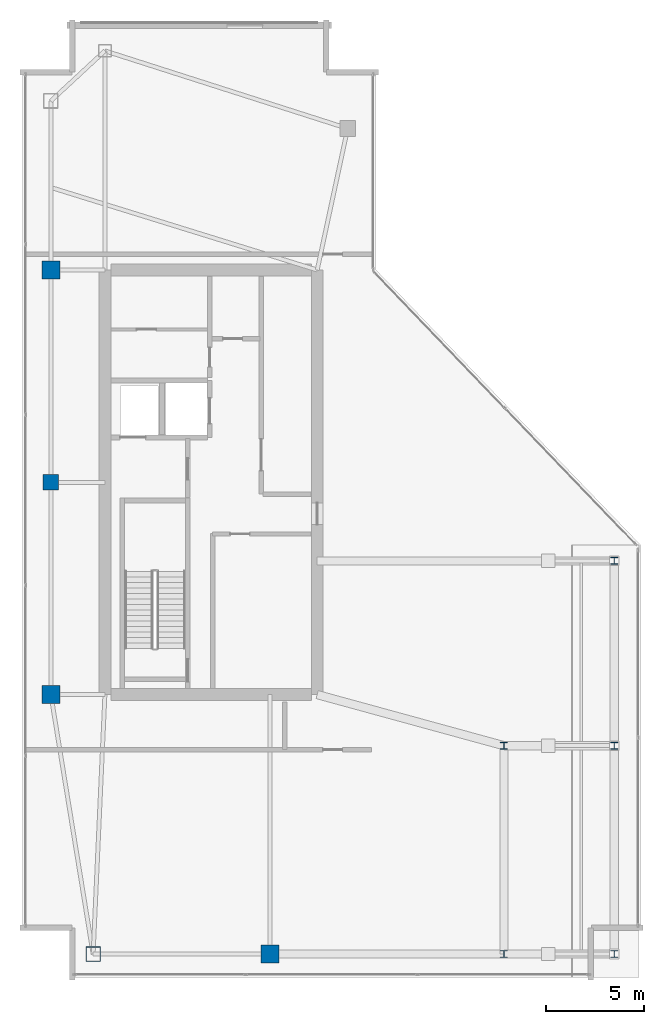
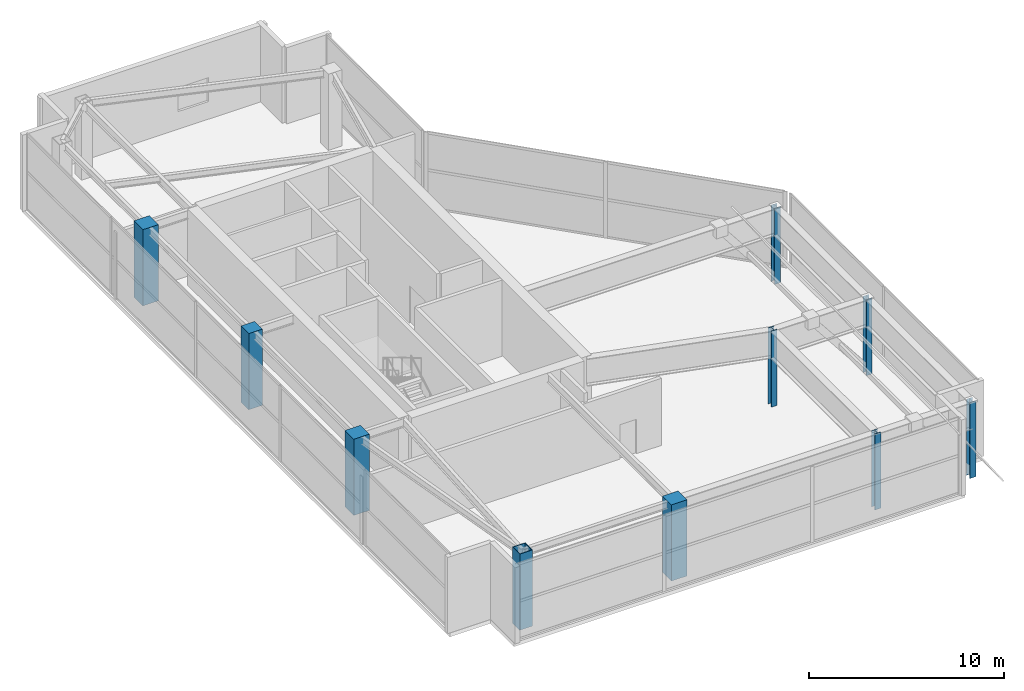
# One storey, part 1 of 22: 10 columns.
"""IFC4 building model written with IfcOpenShell, lengths in metres."""

from ifc_helpers import new_model, si_unit, direction, frame, origin, origin_2d, place, context, subcontext, project, spatial, rectangle, hollow_rectangle, i_section, extrude, material, material_profile, profile_set, type_object, element, save


model = new_model("IFC4")

# Units and contexts
model_context = context("Model", 3, precision=1e-05, world=origin(), true_north=direction((0.0, 1.0)))
body_context = subcontext(model_context, "Body", "Model", "MODEL_VIEW")
ifc_project = project(units=[si_unit("LENGTHUNIT", "METRE"), si_unit("AREAUNIT", "SQUARE_METRE"), si_unit("VOLUMEUNIT", "CUBIC_METRE"), si_unit("PLANEANGLEUNIT", "RADIAN"), si_unit("MASSUNIT", "GRAM", prefix="KILO")], contexts=[model_context])

# Site, building, storey
site_placement = place(None, origin())
site = spatial("IfcSite", under=ifc_project, at=site_placement, CompositionType="ELEMENT")
building_placement = place(site_placement, origin())
building = spatial("IfcBuilding", under=site, at=building_placement, Name="Calvorn Quay Hotel", CompositionType="ELEMENT")
storey_placement = place(building_placement, frame((0.0, 0.0, 325.5)))
storey = spatial("IfcBuildingStorey", under=building, at=storey_placement, Name="L80", CompositionType="ELEMENT", Elevation=325.5)

# Columns
ifc_material_1 = material(Name="Concrete C45", Category="concrete")
ifc_material_profile_1 = material_profile(ifc_material_1, rectangle(XDim=0.800048828125, YDim=0.800048828125, at=origin_2d()), Name="RC800x800")
ifc_profile_set_1 = profile_set([ifc_material_profile_1], Name="Concrete C45")
column_type_1 = type_object("IfcColumnType", Name="COL-RC-800", PredefinedType="COLUMN", material=ifc_profile_set_1)
column_1_placement = place(storey_placement, frame((1.449951171875, 27.60009765625, 0.0), z_axis=(0.0, 0.0, 1.0), x_axis=(1.0, 0.0, 0.0)))
element("IfcColumn", 1, at=column_1_placement, inside=storey, type_object=column_type_1, Name="Column C-W3 (L80)", PredefinedType="COLUMN", context=body_context, shape_type="SweptSolid", body=[
    extrude(rectangle(XDim=0.800048828125, YDim=0.800048828125, at=origin_2d()), origin(), (0.0, 0.0, 1.0), 4.760009765625),
])
ifc_material_2 = material(Name="Concrete C45", Category="concrete")
ifc_material_profile_2 = material_profile(ifc_material_2, rectangle(XDim=0.919921875, YDim=0.919921875, at=origin_2d()), Name="RC920x920")
ifc_profile_set_2 = profile_set([ifc_material_profile_2], Name="Concrete C45")
column_type_2 = type_object("IfcColumnType", Name="COL-RC-920", PredefinedType="COLUMN", material=ifc_profile_set_2)
for number, where, z_axis, x_axis, name in (
    (2, (1.449951171875, 16.800048828125, 0.0), (0.0, 0.0, 1.0), (1.0, 0.0, 0.0), "Column C-W2 (L80)"),
    (3, (1.449951171875, 38.39990234375, 0.0), (0.0, 0.0, 1.0), (1.0, 0.0, 0.0), "Column C-W4 (L80)"),
    (4, (12.60009765625, 3.60009765625, 0.0), (0.0, 0.0, 1.0), (1.0, 0.0, 0.0), "Column C-S1 (L80)"),
):
    element("IfcColumn", number, at=place(storey_placement, frame(where, z_axis=z_axis, x_axis=x_axis)), inside=storey, type_object=column_type_2, Name=name, PredefinedType="COLUMN", context=body_context, shape_type="SweptSolid", body=[
        extrude(rectangle(XDim=0.919921875, YDim=0.919921875, at=origin_2d()), origin(), (0.0, 0.0, 1.0), 4.760009765625),
    ])
ifc_material_3 = material(Name="Steel Q390GJC", Category="steel")
ifc_material_profile_3 = material_profile(ifc_material_3, i_section(OverallWidth=0.35009765625, OverallDepth=0.35009765625, WebThickness=0.011962890625, FlangeThickness=0.01904296875, FilletRadius=0.01806640625, at=origin_2d()), Name="HW350x350x12x19")
ifc_profile_set_3 = profile_set([ifc_material_profile_3], Name="Steel Q390GJC")
column_type_3 = type_object("IfcColumnType", Name="COL-STL-CRN", PredefinedType="COLUMN", material=ifc_profile_set_3)
for number, where, z_axis, x_axis, name in (
    (5, (30.116943359375, 3.60009765625, 0.0), (0.0, 0.0, 1.0), (1.0, 0.0, 0.0), "Column C-CR1 (L80)"),
    (6, (30.116943359375, 14.199951171875, 0.0), (0.0, 0.0, 1.0), (1.0, 0.0, 0.0), "Column C-CR2 (L80)"),
    (7, (30.116943359375, 23.60009765625, 0.0), (0.0, 0.0, 1.0), (1.0, 0.0, 0.0), "Column C-CR3 (L80)"),
    (8, (24.5, 3.60009765625, 0.0), (0.0, 0.0, 1.0), (1.0, 0.0, 0.0), "Column C-CRM1 (L80)"),
    (9, (24.5, 14.199951171875, 0.0), (0.0, 0.0, 1.0), (1.0, 0.0, 0.0), "Column C-CRM2 (L80)"),
):
    element("IfcColumn", number, at=place(storey_placement, frame(where, z_axis=z_axis, x_axis=x_axis)), inside=storey, type_object=column_type_3, Name=name, PredefinedType="COLUMN", context=body_context, shape_type="SweptSolid", body=[
        extrude(i_section(OverallWidth=0.35009765625, OverallDepth=0.35009765625, WebThickness=0.011962890625, FlangeThickness=0.01904296875, FilletRadius=0.01806640625, at=origin_2d()), origin(), (0.0, 0.0, 1.0), 4.760009765625),
    ])
ifc_material_4 = material(Name="Steel Q390GJC", Category="steel")
ifc_material_profile_4 = material_profile(ifc_material_4, hollow_rectangle(XDim=0.75, YDim=0.75, WallThickness=0.031982421875, at=origin_2d()), Name="BOX750x750x32")
ifc_profile_set_4 = profile_set([ifc_material_profile_4], Name="Steel Q390GJC")
column_type_4 = type_object("IfcColumnType", Name="COL-STL-Z3", PredefinedType="COLUMN", material=ifc_profile_set_4)
column_2_placement = place(storey_placement, frame((3.60009765625, 3.60009765625, 0.0), z_axis=(0.0, 0.0, 1.0), x_axis=(1.0, 0.0, 0.0)))
element("IfcColumn", 10, at=column_2_placement, inside=storey, type_object=column_type_4, Name="Column C-W1 (L80)", PredefinedType="COLUMN", context=body_context, shape_type="SweptSolid", body=[
    extrude(hollow_rectangle(XDim=0.75, YDim=0.75, WallThickness=0.031982421875, at=origin_2d()), origin(), (0.0, 0.0, 1.0), 4.760009765625),
])

save(model, "model.ifc")
